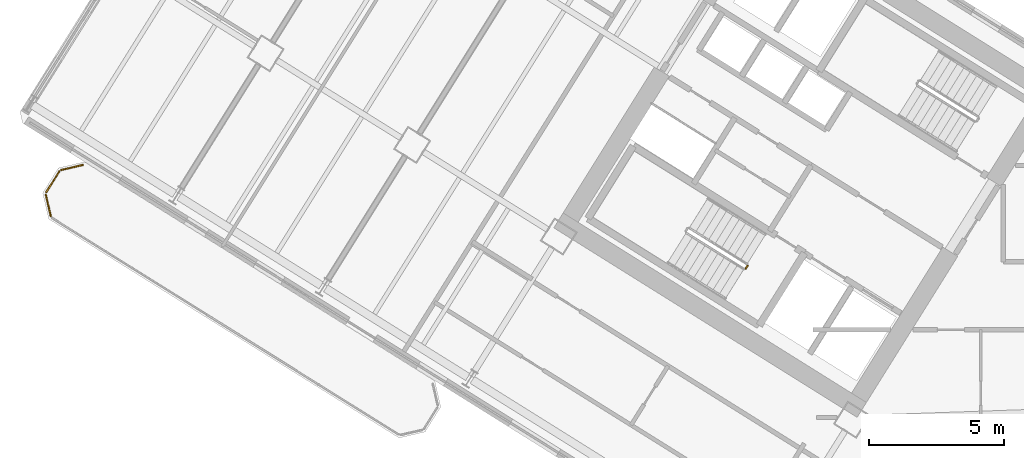
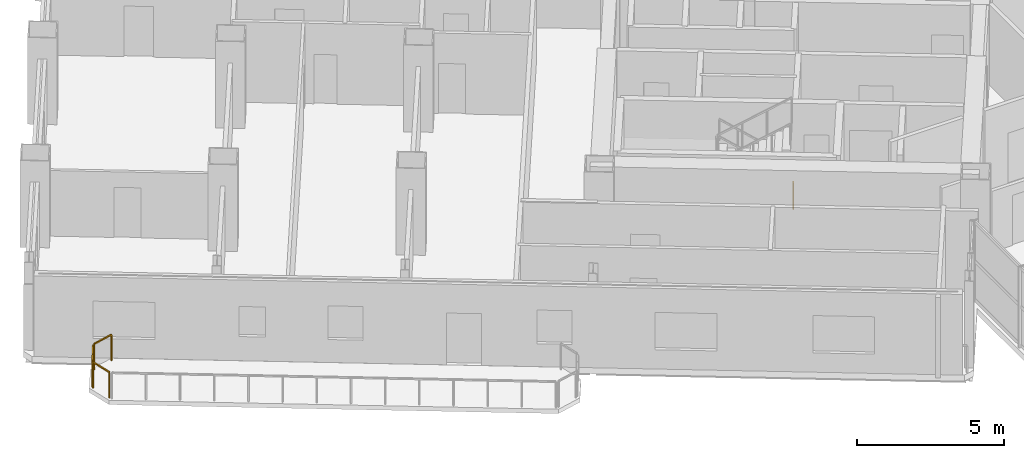
# One storey, part 22 of 28: 4 railings.
"""IFC4 building model written with IfcOpenShell, lengths in metres."""

from ifc_helpers import new_model, si_unit, direction, frame, origin, origin_2d, place, context, subcontext, project, spatial, rectangle, extrude, source, transform, mapped, material, type_object, element, save


model = new_model("IFC4")

# Units and contexts
model_context = context("Model", 3, precision=1e-05, world=origin(), true_north=direction((0.0, 1.0)))
body_context = subcontext(model_context, "Body", "Model", "MODEL_VIEW")
ifc_project = project(units=[si_unit("LENGTHUNIT", "METRE"), si_unit("AREAUNIT", "SQUARE_METRE"), si_unit("VOLUMEUNIT", "CUBIC_METRE"), si_unit("PLANEANGLEUNIT", "RADIAN"), si_unit("MASSUNIT", "GRAM", prefix="KILO")], contexts=[model_context])

# Site, building, storey
site_placement = place(None, origin())
site = spatial("IfcSite", under=ifc_project, at=site_placement, CompositionType="ELEMENT")
building_placement = place(site_placement, origin())
building = spatial("IfcBuilding", under=site, at=building_placement, Name="Tlacorven Tower", CompositionType="ELEMENT")
storey_placement = place(building_placement, frame((0.0, 0.0, 34.800048828125)))
storey = spatial("IfcBuildingStorey", under=building, at=storey_placement, Name="L08", CompositionType="ELEMENT", Elevation=34.800048828125)

# Railings
ifc_material = material(Name="Aluminium and painted steel balustrade", Category="steel")
railing_type_1 = type_object("IfcRailingType", Name="RL-BAL-1100", PredefinedType="BALUSTRADE", material=ifc_material)
shared_shape_1 = source(origin(), body_context, "Body", "SweptSolid", [
    extrude(rectangle(XDim=0.048095703125, YDim=0.048095703125, at=origin_2d()), frame((0.0, 0.0, 1.076171875), z_axis=(-0.225058334816, 0.974345290916, 0.0), x_axis=(-0.974345290916, -0.225058334816, 0.0)), (0.0, 0.0, 1.0), 0.80712890625),
    extrude(rectangle(XDim=0.0419921875, YDim=0.0419921875, at=origin_2d()), origin(), (0.0, 0.0, 1.0), 1.052001953125),
    extrude(rectangle(XDim=0.0419921875, YDim=0.0419921875, at=origin_2d()), frame((-0.181640625, 0.786376953125, 0.0)), (0.0, 0.0, 1.0), 1.052001953125),
])
railing_1_placement = place(storey_placement, frame((3.380859375, 19.62841796875, 0.0)))
element("IfcRailing", 1, at=railing_1_placement, inside=storey, type_object=railing_type_1, Name="BAL-L08-W-OUT Guard Railing 5", PredefinedType="BALUSTRADE", context=body_context, shape_type="MappedRepresentation", body=[
    mapped(shared_shape_1, transform((0.0, 0.0, 0.0), scale=1.0)),
])
shared_shape_2 = source(origin(), body_context, "Body", "SweptSolid", [
    extrude(rectangle(XDim=0.048095703125, YDim=0.048095703125, at=origin_2d()), frame((0.0, 0.0, 1.076171875), z_axis=(0.52987865805, 0.848073468364, 0.0), x_axis=(-0.848073468364, 0.52987865805, 0.0)), (0.0, 0.0, 1.0), 0.912353515625),
    extrude(rectangle(XDim=0.0419921875, YDim=0.0419921875, at=origin_2d()), origin(), (0.0, 0.0, 1.0), 1.052001953125),
    extrude(rectangle(XDim=0.0419921875, YDim=0.0419921875, at=origin_2d()), frame((0.4833984375, 0.773681640625, 0.0)), (0.0, 0.0, 1.0), 1.052001953125),
])
railing_2_placement = place(storey_placement, frame((3.214599609375, 20.505859375, 0.0)))
element("IfcRailing", 2, at=railing_2_placement, inside=storey, type_object=railing_type_1, Name="BAL-L08-W-OUT Guard Railing 6", PredefinedType="BALUSTRADE", context=body_context, shape_type="MappedRepresentation", body=[
    mapped(shared_shape_2, transform((0.0, 0.0, 0.0), scale=1.0)),
])
shared_shape_3 = source(origin(), body_context, "Body", "SweptSolid", [
    extrude(rectangle(XDim=0.048095703125, YDim=0.048095703125, at=origin_2d()), frame((0.0, 0.0, 1.076171875), z_axis=(0.974345290916, 0.225058334816, 0.0), x_axis=(-0.225058334816, 0.974345290916, 0.0)), (0.0, 0.0, 1.0), 0.80712890625),
    extrude(rectangle(XDim=0.0419921875, YDim=0.0419921875, at=origin_2d()), origin(), (0.0, 0.0, 1.0), 1.052001953125),
    extrude(rectangle(XDim=0.0419921875, YDim=0.0419921875, at=origin_2d()), frame((0.786376953125, 0.181640625, 0.0)), (0.0, 0.0, 1.0), 1.052001953125),
])
railing_3_placement = place(storey_placement, frame((3.773193359375, 21.3330078125, 0.0)))
element("IfcRailing", 3, at=railing_3_placement, inside=storey, type_object=railing_type_1, Name="BAL-L08-W-OUT Guard Railing 7", PredefinedType="BALUSTRADE", context=body_context, shape_type="MappedRepresentation", body=[
    mapped(shared_shape_3, transform((0.0, 0.0, 0.0), scale=1.0)),
])
railing_type_2 = type_object("IfcRailingType", Name="RL-GRD-1100", PredefinedType="GUARDRAIL", material=ifc_material)
shared_shape_4 = source(origin(), body_context, "Body", "SweptSolid", [
    extrude(rectangle(XDim=0.048095703125, YDim=0.048095703125, at=origin_2d()), frame((0.0, 0.0, 1.076171875), z_axis=(-0.529084052582, -0.848569422795, 0.0), x_axis=(0.848569422795, -0.529084052582, 0.0)), (0.0, 0.0, 1.0), 0.119873046875),
    extrude(rectangle(XDim=0.0419921875, YDim=0.0419921875, at=origin_2d()), origin(), (0.0, 0.0, 1.0), 1.052001953125),
    extrude(rectangle(XDim=0.0419921875, YDim=0.0419921875, at=origin_2d()), frame((-0.0634765625, -0.101806640625, 0.0)), (0.0, 0.0, 1.0), 1.052001953125),
])
railing_4_placement = place(storey_placement, frame((29.176513671875, 17.782958984375, 0.0)))
element("IfcRailing", 4, at=railing_4_placement, inside=storey, type_object=railing_type_2, Name="L08 ST-W1 stair guard 4", PredefinedType="GUARDRAIL", context=body_context, shape_type="MappedRepresentation", body=[
    mapped(shared_shape_4, transform((0.0, 0.0, 0.0), scale=1.0)),
])

save(model, "model.ifc")
